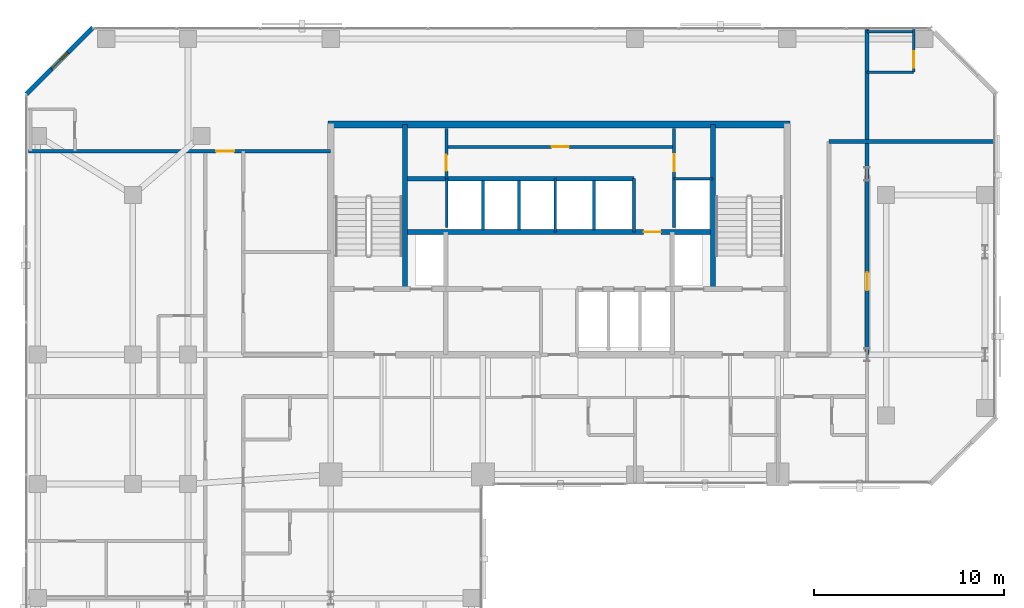
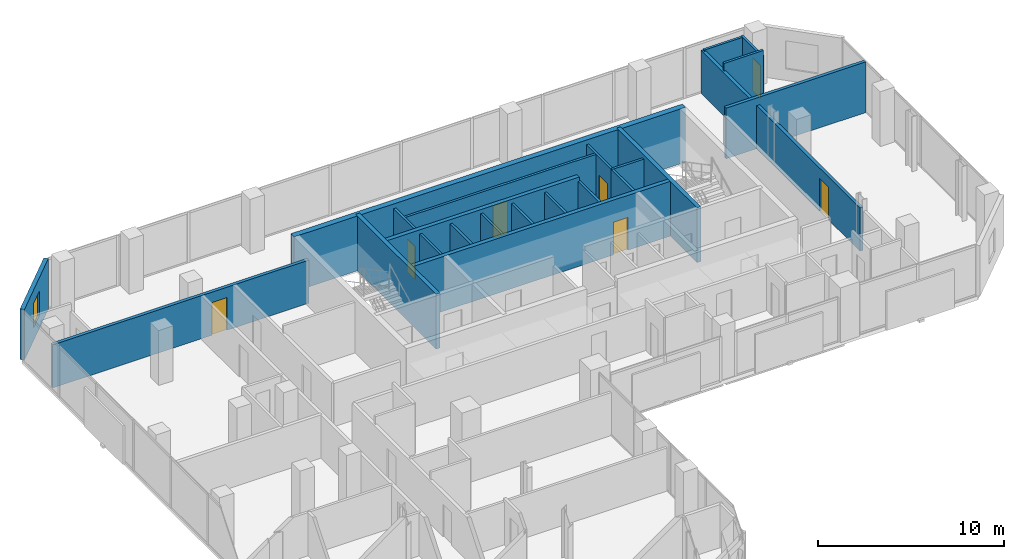
# One storey, part 30 of 34: 23 walls, 7 doors, 1 window, 8 openings.
"""IFC4 building model written with IfcOpenShell, lengths in metres."""

from ifc_helpers import new_model, si_unit, direction, frame, frame_2d, origin, place, context, subcontext, project, spatial, rectangle, extrude, material, layer, layer_set, type_object, element, fill, save


model = new_model("IFC4")

# Units and contexts
model_context = context("Model", 3, precision=1e-05, world=origin(), true_north=direction((0.0, 1.0)))
body_context = subcontext(model_context, "Body", "Model", "MODEL_VIEW")
ifc_project = project(units=[si_unit("LENGTHUNIT", "METRE"), si_unit("AREAUNIT", "SQUARE_METRE"), si_unit("VOLUMEUNIT", "CUBIC_METRE"), si_unit("PLANEANGLEUNIT", "RADIAN"), si_unit("MASSUNIT", "GRAM", prefix="KILO")], contexts=[model_context])

# Site, building, storey
site_placement = place(None, origin())
site = spatial("IfcSite", under=ifc_project, at=site_placement, CompositionType="ELEMENT")
building_placement = place(site_placement, origin())
building = spatial("IfcBuilding", under=site, at=building_placement, Name="Catumbela Crestline Tower", CompositionType="ELEMENT")
storey_placement = place(building_placement, frame((0.0, 0.0, 93.6)))
storey = spatial("IfcBuildingStorey", under=building, at=storey_placement, Name="L23", CompositionType="ELEMENT", Elevation=93.6)

# Walls
ifc_material_1 = material(Name="Concrete C50/60", Category="concrete")
ifc_layer_1 = layer(ifc_material_1, 0.25, Name="Concrete C50/60")
ifc_layer_set_1 = layer_set([ifc_layer_1], Name="Concrete C50/60")
wall_type_1 = type_object("IfcWallType", Name="CW-250D", PredefinedType="SHEAR", material=ifc_layer_set_1)
for number, where, z_axis, x_axis, name in (
    (1, (19.9, 34.25, 0.0), (0.0, 0.0, 1.0), (0.0, 1.0, 0.0), "L23 Structural Core Shear Wall WWEB"),
    (2, (36.1, 34.25, 0.0), (0.0, 0.0, 1.0), (0.0, 1.0, 0.0), "L23 Structural Core Shear Wall EWEB"),
):
    element("IfcWall", number, at=place(storey_placement, frame(where, z_axis=z_axis, x_axis=x_axis)), inside=storey, type_object=wall_type_1, Name=name, PredefinedType="SHEAR", context=body_context, shape_type="SweptSolid", body=[
        extrude(rectangle(XDim=8.65, YDim=0.25, at=frame_2d((4.325, 0.0))), origin(), (0.0, 0.0, 1.0), 3.6),
    ])

# Wall, opening, door
wall_1_placement = place(storey_placement, frame((19.9, 37.25, 0.0), z_axis=(0.0, 0.0, 1.0), x_axis=(1.0, 0.0, 0.0)))
wall_1 = element("IfcWall", 3, at=wall_1_placement, inside=storey, type_object=wall_type_1, Name="L23 Structural Core Shear Wall LIFTN", PredefinedType="SHEAR", context=body_context, shape_type="SweptSolid", body=[
    extrude(rectangle(XDim=16.2, YDim=0.25, at=frame_2d((8.1, 0.0))), origin(), (0.0, 0.0, 1.0), 3.6),
])
opening_1_placement = place(wall_1_placement, frame((12.55, 0.0, 0.0)))
opening_1 = element("IfcOpeningElement", 4, at=opening_1_placement, cuts=wall_1, Name="Opening DF9-090", PredefinedType="OPENING", context=body_context, shape_type="SweptSolid", body=[
    extrude(rectangle(XDim=0.9, YDim=2.15, at=frame_2d((0.45, 1.075))), frame((0.0, 0.135, 0.0), z_axis=(0.0, -1.0, 0.0), x_axis=(1.0, 0.0, 0.0)), (0.0, 0.0, 1.0), 0.27),
])
ifc_material_2 = material(Name="Stainless steel EN 1.4401", Category="steel")
door_type_1 = type_object("IfcDoorType", Name="DF9-090", OperationType="NOTDEFINED", PredefinedType="DOOR", material=ifc_material_2)
door_1_placement = place(opening_1_placement, origin())
door_1 = element("IfcDoor", 5, at=door_1_placement, inside=storey, type_object=door_type_1, Name="L23 Interior Door DR-L23-CPAS1", OperationType="SINGLE_SWING_LEFT", OverallHeight=2.15, OverallWidth=0.9, PredefinedType="DOOR", context=body_context, shape_type="SweptSolid", body=[
    extrude(rectangle(XDim=0.9, YDim=2.15, at=frame_2d((0.45, 1.075))), frame((0.0, 0.025, 0.0), z_axis=(0.0, -1.0, 0.0), x_axis=(1.0, 0.0, 0.0)), (0.0, 0.0, 1.0), 0.05),
])
fill(opening_1, door_1)

# Walls
wall_2_placement = place(storey_placement, frame((19.9, 40.05, 0.0), z_axis=(0.0, 0.0, 1.0), x_axis=(1.0, 0.0, 0.0)))
element("IfcWall", 6, at=wall_2_placement, inside=storey, type_object=wall_type_1, Name="L23 Structural Core Shear Wall COREN", PredefinedType="SHEAR", context=body_context, shape_type="SweptSolid", body=[
    extrude(rectangle(XDim=12.05, YDim=0.25, at=frame_2d((6.025, 0.0))), origin(), (0.0, 0.0, 1.0), 3.6),
])
ifc_layer_2 = layer(ifc_material_1, 0.35, Name="Concrete C50/60")
ifc_layer_set_2 = layer_set([ifc_layer_2], Name="Concrete C50/60")
wall_type_2 = type_object("IfcWallType", Name="CW-350B", PredefinedType="SHEAR", material=ifc_layer_set_2)
wall_3_placement = place(storey_placement, frame((15.85, 42.9, 0.0), z_axis=(0.0, 0.0, 1.0), x_axis=(1.0, 0.0, 0.0)))
element("IfcWall", 7, at=wall_3_placement, inside=storey, type_object=wall_type_2, Name="L23 Structural Core Shear Wall N", PredefinedType="SHEAR", context=body_context, shape_type="SweptSolid", body=[
    extrude(rectangle(XDim=24.3, YDim=0.35, at=frame_2d((12.15, 0.0))), origin(), (0.0, 0.0, 1.0), 3.6),
])
ifc_material_3 = material(Name="Acoustic gypsum and mineral-wool partition")
ifc_layer_3 = layer(ifc_material_3, 0.2, Name="Acoustic gypsum and mineral-wool partition")
ifc_layer_set_3 = layer_set([ifc_layer_3], Name="Acoustic gypsum and mineral-wool partition")
wall_type_3 = type_object("IfcWallType", Name="WC-200", PredefinedType="PARTITIONING", material=ifc_layer_set_3)
wall_4_placement = place(storey_placement, frame((42.2, 42.0, 0.0), z_axis=(0.0, 0.0, 1.0), x_axis=(1.0, 0.0, 0.0)))
element("IfcWall", 8, at=wall_4_placement, inside=storey, type_object=wall_type_3, Name="L23 Interior Partition PW-L23-Z2CW-E3", PredefinedType="PARTITIONING", context=body_context, shape_type="SweptSolid", body=[
    extrude(rectangle(XDim=8.7, YDim=0.2, at=frame_2d((4.35, 0.0))), origin(), (0.0, 0.0, 1.0), 3.33),
])

# Wall, opening, door
wall_5_placement = place(storey_placement, frame((0.1, 41.5, 0.0), z_axis=(0.0, 0.0, 1.0), x_axis=(1.0, 0.0, 0.0)))
wall_5 = element("IfcWall", 9, at=wall_5_placement, inside=storey, type_object=wall_type_3, Name="L23 Interior Partition PW-L23-Z2NWT-ENT", PredefinedType="PARTITIONING", context=body_context, shape_type="SweptSolid", body=[
    extrude(rectangle(XDim=15.9, YDim=0.2, at=frame_2d((7.95, 0.0))), origin(), (0.0, 0.0, 1.0), 2.83),
])
opening_2_placement = place(wall_5_placement, frame((9.8771, 0.0, 0.0)))
opening_2 = element("IfcOpeningElement", 10, at=opening_2_placement, cuts=wall_5, Name="Opening DF6-095", PredefinedType="OPENING", context=body_context, shape_type="SweptSolid", body=[
    extrude(rectangle(XDim=0.95, YDim=2.15, at=frame_2d((0.475, 1.075))), frame((0.0, 0.11, 0.0), z_axis=(0.0, -1.0, 0.0), x_axis=(1.0, 0.0, 0.0)), (0.0, 0.0, 1.0), 0.22),
])
ifc_material_4 = material(Name="Aluminium alloy AW-6060-T66", Category="aluminium")
door_type_2 = type_object("IfcDoorType", Name="DF6-095", OperationType="NOTDEFINED", PredefinedType="DOOR", material=ifc_material_4)
door_2_placement = place(opening_2_placement, origin())
door_2 = element("IfcDoor", 11, at=door_2_placement, inside=storey, type_object=door_type_2, Name="L23 Interior Door DR-L23-Z2NWT-ENT", OperationType="SINGLE_SWING_RIGHT", OverallHeight=2.15, OverallWidth=0.95, PredefinedType="DOOR", context=body_context, shape_type="SweptSolid", body=[
    extrude(rectangle(XDim=0.95, YDim=2.15, at=frame_2d((0.475, 1.075))), frame((0.0, 0.025, 0.0), z_axis=(0.0, -1.0, 0.0), x_axis=(1.0, 0.0, 0.0)), (0.0, 0.0, 1.0), 0.05),
])
fill(opening_2, door_2)

wall_6_placement = place(storey_placement, frame((44.2, 30.8, 0.0), z_axis=(0.0, 0.0, 1.0), x_axis=(0.0, 1.0, 0.0)))
wall_6 = element("IfcWall", 12, at=wall_6_placement, inside=storey, type_object=wall_type_3, Name="L23 Interior Partition PW-L23-SE1-ENT", PredefinedType="PARTITIONING", context=body_context, shape_type="SweptSolid", body=[
    extrude(rectangle(XDim=17.1, YDim=0.2, at=frame_2d((8.55, 0.0))), origin(), (0.0, 0.0, 1.0), 2.83),
])
opening_3_placement = place(wall_6_placement, frame((3.3825, 0.0, 0.0)))
opening_3 = element("IfcOpeningElement", 13, at=opening_3_placement, cuts=wall_6, Name="Opening DF6-095", PredefinedType="OPENING", context=body_context, shape_type="SweptSolid", body=[
    extrude(rectangle(XDim=0.95, YDim=2.15, at=frame_2d((0.475, 1.075))), frame((0.0, 0.11, 0.0), z_axis=(0.0, -1.0, 0.0), x_axis=(1.0, 0.0, 0.0)), (0.0, 0.0, 1.0), 0.22),
])
door_3_placement = place(opening_3_placement, origin())
door_3 = element("IfcDoor", 14, at=door_3_placement, inside=storey, type_object=door_type_2, Name="L23 Interior Door DR-L23-SE1-ENT", OperationType="SINGLE_SWING_RIGHT", OverallHeight=2.15, OverallWidth=0.95, PredefinedType="DOOR", context=body_context, shape_type="SweptSolid", body=[
    extrude(rectangle(XDim=0.95, YDim=2.15, at=frame_2d((0.475, 1.075))), frame((0.0, 0.025, 0.0), z_axis=(0.0, -1.0, 0.0), x_axis=(1.0, 0.0, 0.0)), (0.0, 0.0, 1.0), 0.05),
])
fill(opening_3, door_3)

# Wall, opening, window
ifc_material_5 = material(Name="Angolan grey-ochre granite", Category="masonry")
ifc_layer_4 = layer(ifc_material_5, 0.25, Name="Angolan grey-ochre granite")
ifc_layer_set_4 = layer_set([ifc_layer_4], Name="Angolan grey-ochre granite")
wall_type_4 = type_object("IfcWallType", Name="WE-250", PredefinedType="STANDARD", material=ifc_layer_set_4)
wall_7_placement = place(storey_placement, frame((3.5, 48.0, 0.0), z_axis=(0.0, 0.0, 1.0), x_axis=(-0.707106781187, -0.707106781187, 0.0)))
wall_7 = element("IfcWall", 15, at=wall_7_placement, inside=storey, type_object=wall_type_4, Name="L23 Granite Punched Window Wall 8-1", PredefinedType="STANDARD", context=body_context, shape_type="SweptSolid", body=[
    extrude(rectangle(XDim=4.9497, YDim=0.25, at=frame_2d((2.4748, 0.0))), origin(), (0.0, 0.0, 1.0), 3.33),
])
opening_4_placement = place(wall_7_placement, frame((1.8748, 0.0, 0.85)))
opening_4 = element("IfcOpeningElement", 16, at=opening_4_placement, cuts=wall_7, Name="Opening WN-02", PredefinedType="OPENING", context=body_context, shape_type="SweptSolid", body=[
    extrude(rectangle(XDim=1.2, YDim=1.6, at=frame_2d((0.6, 0.8))), frame((0.0, 0.135, 0.0), z_axis=(0.0, -1.0, 0.0), x_axis=(1.0, 0.0, 0.0)), (0.0, 0.0, 1.0), 0.27),
])
ifc_material_6 = material(Name="Low-E laminated solar-control double glazing", Category="glass")
window_type = type_object("IfcWindowType", Name="WO-1200", PartitioningType="SINGLE_PANEL", PredefinedType="WINDOW", material=ifc_material_6)
window_placement = place(opening_4_placement, origin())
window = element("IfcWindow", 17, at=window_placement, inside=storey, type_object=window_type, Name="L23 Facade Vision Window 138", OverallHeight=1.6, OverallWidth=1.2, PartitioningType="SINGLE_PANEL", PredefinedType="WINDOW", context=body_context, shape_type="SweptSolid", body=[
    extrude(rectangle(XDim=1.2, YDim=1.6, at=frame_2d((0.6, 0.8))), frame((0.0, 0.03, 0.0), z_axis=(0.0, -1.0, 0.0), x_axis=(1.0, 0.0, 0.0)), (0.0, 0.0, 1.0), 0.06),
])
fill(opening_4, window)

# Wall
ifc_layer_5 = layer(ifc_material_3, 0.15, Name="Acoustic gypsum and mineral-wool partition")
ifc_layer_set_5 = layer_set([ifc_layer_5], Name="Acoustic gypsum and mineral-wool partition")
wall_type_5 = type_object("IfcWallType", Name="WP-150", PredefinedType="PARTITIONING", material=ifc_layer_set_5)
wall_8_placement = place(storey_placement, frame((34.05, 40.05, 0.0), z_axis=(0.0, 0.0, 1.0), x_axis=(1.0, 0.0, 0.0)))
element("IfcWall", 18, at=wall_8_placement, inside=storey, type_object=wall_type_5, Name="L23 Interior Partition PW-L23-CR-ES", PredefinedType="PARTITIONING", context=body_context, shape_type="SweptSolid", body=[
    extrude(rectangle(XDim=2.05, YDim=0.15, at=frame_2d((1.025, 0.0))), origin(), (0.0, 0.0, 1.0), 3.33),
])

# Wall, opening, door
wall_9_placement = place(storey_placement, frame((34.05, 40.05, 0.0), z_axis=(0.0, 0.0, 1.0), x_axis=(0.0, 1.0, 0.0)))
wall_9 = element("IfcWall", 19, at=wall_9_placement, inside=storey, type_object=wall_type_5, Name="L23 Interior Partition PW-L23-CR-EW", PredefinedType="PARTITIONING", context=body_context, shape_type="SweptSolid", body=[
    extrude(rectangle(XDim=2.63, YDim=0.15, at=frame_2d((1.315, 0.0))), origin(), (0.0, 0.0, 1.0), 3.33),
])
opening_5_placement = place(wall_9_placement, frame((0.385, 0.0, 0.0)))
opening_5 = element("IfcOpeningElement", 20, at=opening_5_placement, cuts=wall_9, Name="Opening DF9-090", PredefinedType="OPENING", context=body_context, shape_type="SweptSolid", body=[
    extrude(rectangle(XDim=0.9, YDim=2.15, at=frame_2d((0.45, 1.075))), frame((0.0, 0.085, 0.0), z_axis=(0.0, -1.0, 0.0), x_axis=(1.0, 0.0, 0.0)), (0.0, 0.0, 1.0), 0.17),
])
door_4_placement = place(opening_5_placement, origin())
door_4 = element("IfcDoor", 21, at=door_4_placement, inside=storey, type_object=door_type_1, Name="L23 Interior Door DR-L23-CREAST", OperationType="SINGLE_SWING_RIGHT", OverallHeight=2.15, OverallWidth=0.9, PredefinedType="DOOR", context=body_context, shape_type="SweptSolid", body=[
    extrude(rectangle(XDim=0.9, YDim=2.15, at=frame_2d((0.45, 1.075))), frame((0.0, 0.025, 0.0), z_axis=(0.0, -1.0, 0.0), x_axis=(1.0, 0.0, 0.0)), (0.0, 0.0, 1.0), 0.05),
])
fill(opening_5, door_4)

wall_10_placement = place(storey_placement, frame((22.08, 40.05, 0.0), z_axis=(0.0, 0.0, 1.0), x_axis=(0.0, 1.0, 0.0)))
wall_10 = element("IfcWall", 22, at=wall_10_placement, inside=storey, type_object=wall_type_5, Name="L23 Interior Partition PW-L23-CR-WCW", PredefinedType="PARTITIONING", context=body_context, shape_type="SweptSolid", body=[
    extrude(rectangle(XDim=2.63, YDim=0.15, at=frame_2d((1.315, 0.0))), origin(), (0.0, 0.0, 1.0), 3.33),
])
opening_6_placement = place(wall_10_placement, frame((0.41, 0.0, 0.0)))
opening_6 = element("IfcOpeningElement", 23, at=opening_6_placement, cuts=wall_10, Name="Opening DI-085", PredefinedType="OPENING", context=body_context, shape_type="SweptSolid", body=[
    extrude(rectangle(XDim=0.85, YDim=2.15, at=frame_2d((0.425, 1.075))), frame((0.0, 0.085, 0.0), z_axis=(0.0, -1.0, 0.0), x_axis=(1.0, 0.0, 0.0)), (0.0, 0.0, 1.0), 0.17),
])
door_type_3 = type_object("IfcDoorType", Name="DI-085", OperationType="NOTDEFINED", PredefinedType="DOOR", material=ifc_material_4)
door_5_placement = place(opening_6_placement, origin())
door_5 = element("IfcDoor", 24, at=door_5_placement, inside=storey, type_object=door_type_3, Name="L23 Interior Door DR-L23-CRWC", OperationType="SINGLE_SWING_LEFT", OverallHeight=2.15, OverallWidth=0.85, PredefinedType="DOOR", context=body_context, shape_type="SweptSolid", body=[
    extrude(rectangle(XDim=0.85, YDim=2.15, at=frame_2d((0.425, 1.075))), frame((0.0, 0.025, 0.0), z_axis=(0.0, -1.0, 0.0), x_axis=(1.0, 0.0, 0.0)), (0.0, 0.0, 1.0), 0.05),
])
fill(opening_6, door_5)

wall_11_placement = place(storey_placement, frame((22.08, 41.72, 0.0), z_axis=(0.0, 0.0, 1.0), x_axis=(1.0, 0.0, 0.0)))
wall_11 = element("IfcWall", 25, at=wall_11_placement, inside=storey, type_object=wall_type_5, Name="L23 Interior Partition PW-L23-CR-MID", PredefinedType="PARTITIONING", context=body_context, shape_type="SweptSolid", body=[
    extrude(rectangle(XDim=11.97, YDim=0.15, at=frame_2d((5.985, 0.0))), origin(), (0.0, 0.0, 1.0), 3.33),
])
opening_7_placement = place(wall_11_placement, frame((5.535, 0.0, 0.0)))
opening_7 = element("IfcOpeningElement", 26, at=opening_7_placement, cuts=wall_11, Name="Opening DF9-090", PredefinedType="OPENING", context=body_context, shape_type="SweptSolid", body=[
    extrude(rectangle(XDim=0.9, YDim=2.15, at=frame_2d((0.45, 1.075))), frame((0.0, 0.085, 0.0), z_axis=(0.0, -1.0, 0.0), x_axis=(1.0, 0.0, 0.0)), (0.0, 0.0, 1.0), 0.17),
])
door_6_placement = place(opening_7_placement, origin())
door_6 = element("IfcDoor", 27, at=door_6_placement, inside=storey, type_object=door_type_1, Name="L23 Interior Door DR-L23-CRMID", OperationType="SINGLE_SWING_LEFT", OverallHeight=2.15, OverallWidth=0.9, PredefinedType="DOOR", context=body_context, shape_type="SweptSolid", body=[
    extrude(rectangle(XDim=0.9, YDim=2.15, at=frame_2d((0.45, 1.075))), frame((0.0, 0.025, 0.0), z_axis=(0.0, -1.0, 0.0), x_axis=(1.0, 0.0, 0.0)), (0.0, 0.0, 1.0), 0.05),
])
fill(opening_7, door_6)

# Wall
wall_12_placement = place(storey_placement, frame((44.2, 45.65, 0.0), z_axis=(0.0, 0.0, 1.0), x_axis=(1.0, 0.0, 0.0)))
element("IfcWall", 28, at=wall_12_placement, inside=storey, type_object=wall_type_5, Name="L23 Interior Partition PW-L23-SE1-BSW", PredefinedType="PARTITIONING", context=body_context, shape_type="SweptSolid", body=[
    extrude(rectangle(XDim=2.45, YDim=0.15, at=frame_2d((1.225, 0.0))), origin(), (0.0, 0.0, 1.0), 3.33),
])

# Wall, opening, door
wall_13_placement = place(storey_placement, frame((46.65, 45.65, 0.0), z_axis=(0.0, 0.0, 1.0), x_axis=(0.0, 1.0, 0.0)))
wall_13 = element("IfcWall", 29, at=wall_13_placement, inside=storey, type_object=wall_type_5, Name="L23 Interior Partition PW-L23-SE1-BEW", PredefinedType="PARTITIONING", context=body_context, shape_type="SweptSolid", body=[
    extrude(rectangle(XDim=2.25, YDim=0.15, at=frame_2d((1.125, 0.0))), origin(), (0.0, 0.0, 1.0), 2.92),
])
opening_8_placement = place(wall_13_placement, frame((0.24, 0.0, 0.0)))
opening_8 = element("IfcOpeningElement", 30, at=opening_8_placement, cuts=wall_13, Name="Opening DI-085", PredefinedType="OPENING", context=body_context, shape_type="SweptSolid", body=[
    extrude(rectangle(XDim=0.85, YDim=2.15, at=frame_2d((0.425, 1.075))), frame((0.0, 0.085, 0.0), z_axis=(0.0, -1.0, 0.0), x_axis=(1.0, 0.0, 0.0)), (0.0, 0.0, 1.0), 0.17),
])
door_7_placement = place(opening_8_placement, origin())
door_7 = element("IfcDoor", 31, at=door_7_placement, inside=storey, type_object=door_type_3, Name="L23 Interior Door DR-L23-SE1-BTH", OperationType="SINGLE_SWING_LEFT", OverallHeight=2.15, OverallWidth=0.85, PredefinedType="DOOR", context=body_context, shape_type="SweptSolid", body=[
    extrude(rectangle(XDim=0.85, YDim=2.15, at=frame_2d((0.425, 1.075))), frame((0.0, 0.025, 0.0), z_axis=(0.0, -1.0, 0.0), x_axis=(1.0, 0.0, 0.0)), (0.0, 0.0, 1.0), 0.05),
])
fill(opening_8, door_7)

# Walls
wall_14_placement = place(storey_placement, frame((44.2, 47.78, 0.0), z_axis=(0.0, 0.0, 1.0), x_axis=(1.0, 0.0, 0.0)))
element("IfcWall", 32, at=wall_14_placement, inside=storey, type_object=wall_type_5, Name="L23 Interior Partition PW-L23-SE1-BCL-2", PredefinedType="PARTITIONING", context=body_context, shape_type="SweptSolid", body=[
    extrude(rectangle(XDim=2.45, YDim=0.15, at=frame_2d((1.225, 0.0))), origin(), (0.0, 0.0, 1.0), 2.92),
])
ifc_layer_6 = layer(ifc_material_3, 0.15, Name="Acoustic gypsum and mineral-wool partition")
ifc_layer_set_6 = layer_set([ifc_layer_6], Name="Acoustic gypsum and mineral-wool partition")
wall_type_6 = type_object("IfcWallType", Name="WS-150", PredefinedType="PLUMBINGWALL", material=ifc_layer_set_6)
wall_15_placement = place(storey_placement, frame((22.1, 37.4897, 0.0), z_axis=(0.0, 0.0, 1.0), x_axis=(0.0, 1.0, 0.0)))
element("IfcWall", 33, at=wall_15_placement, inside=storey, type_object=wall_type_6, Name="L23 Interior Partition PW-L23-SHH0", PredefinedType="PLUMBINGWALL", context=body_context, shape_type="SweptSolid", body=[
    extrude(rectangle(XDim=2.5603, YDim=0.15, at=frame_2d((1.2801, 0.0))), origin(), (0.0, 0.0, 1.0), 3.33),
])
wall_16_placement = place(storey_placement, frame((27.8, 37.25, 0.0), z_axis=(0.0, 0.0, 1.0), x_axis=(0.0, 1.0, 0.0)))
element("IfcWall", 34, at=wall_16_placement, inside=storey, type_object=wall_type_6, Name="L23 Interior Partition PW-L23-SHH3", PredefinedType="PLUMBINGWALL", context=body_context, shape_type="SweptSolid", body=[
    extrude(rectangle(XDim=2.8, YDim=0.15, at=frame_2d((1.4, 0.0))), origin(), (0.0, 0.0, 1.0), 3.33),
])
for number, where, z_axis, x_axis, name in (
    (35, (24.0, 37.35, 0.0), (0.0, 0.0, 1.0), (0.0, 1.0, 0.0), "L23 Interior Partition PW-L23-SHH1"),
    (36, (25.9, 37.35, 0.0), (0.0, 0.0, 1.0), (0.0, 1.0, 0.0), "L23 Interior Partition PW-L23-SHH2"),
):
    element("IfcWall", number, at=place(storey_placement, frame(where, z_axis=z_axis, x_axis=x_axis)), inside=storey, type_object=wall_type_6, Name=name, PredefinedType="PLUMBINGWALL", context=body_context, shape_type="SweptSolid", body=[
        extrude(rectangle(XDim=2.6, YDim=0.15, at=frame_2d((1.3, 0.0))), origin(), (0.0, 0.0, 1.0), 3.33),
    ])
wall_17_placement = place(storey_placement, frame((31.95, 37.25, 0.0), z_axis=(0.0, 0.0, 1.0), x_axis=(0.0, 1.0, 0.0)))
element("IfcWall", 37, at=wall_17_placement, inside=storey, type_object=wall_type_6, Name="L23 Interior Partition PW-L23-SHEX2E", PredefinedType="PLUMBINGWALL", context=body_context, shape_type="SweptSolid", body=[
    extrude(rectangle(XDim=2.8, YDim=0.15, at=frame_2d((1.4, 0.0))), origin(), (0.0, 0.0, 1.0), 3.33),
])
wall_18_placement = place(storey_placement, frame((29.85, 37.35, 0.0), z_axis=(0.0, 0.0, 1.0), x_axis=(0.0, 1.0, 0.0)))
element("IfcWall", 38, at=wall_18_placement, inside=storey, type_object=wall_type_6, Name="L23 Interior Partition PW-L23-SHEX1", PredefinedType="PLUMBINGWALL", context=body_context, shape_type="SweptSolid", body=[
    extrude(rectangle(XDim=2.6, YDim=0.15, at=frame_2d((1.3, 0.0))), origin(), (0.0, 0.0, 1.0), 3.33),
])
wall_19_placement = place(storey_placement, frame((34.05, 37.4734, 0.0), z_axis=(0.0, 0.0, 1.0), x_axis=(0.0, 1.0, 0.0)))
element("IfcWall", 39, at=wall_19_placement, inside=storey, type_object=wall_type_6, Name="L23 Interior Partition PW-L23-RISW", PredefinedType="PLUMBINGWALL", context=body_context, shape_type="SweptSolid", body=[
    extrude(rectangle(XDim=2.5766, YDim=0.15, at=frame_2d((1.2883, 0.0))), origin(), (0.0, 0.0, 1.0), 3.33),
])

save(model, "model.ifc")
